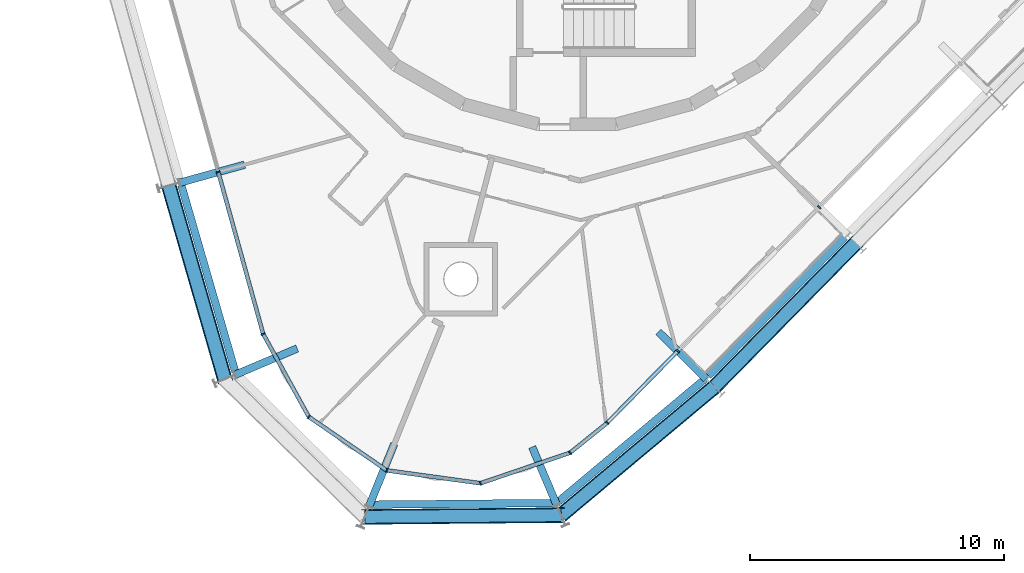
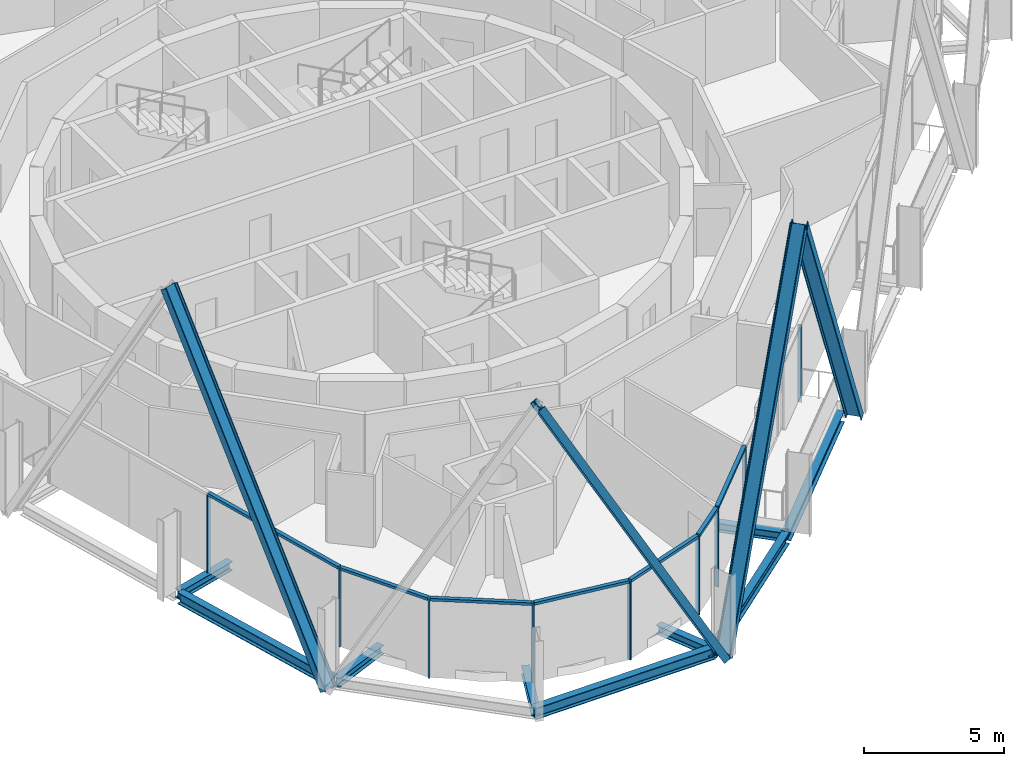
# One storey, part 2 of 15: 20 members, 9 beams, 2 elements without a shape of their own.
"""IFC4 building model written with IfcOpenShell, lengths in metres."""

from ifc_helpers import new_model, si_unit, direction, frame, origin, origin_2d, place, context, subcontext, project, spatial, rectangle, i_section, extrude, material, layer, layer_set, material_profile, profile_set, type_object, element, aggregate, save


model = new_model("IFC4")

# Units and contexts
model_context = context("Model", 3, precision=1e-05, world=origin(), true_north=direction((0.0, 1.0)))
body_context = subcontext(model_context, "Body", "Model", "MODEL_VIEW")
ifc_project = project(units=[si_unit("LENGTHUNIT", "METRE"), si_unit("AREAUNIT", "SQUARE_METRE"), si_unit("VOLUMEUNIT", "CUBIC_METRE"), si_unit("PLANEANGLEUNIT", "RADIAN"), si_unit("MASSUNIT", "GRAM", prefix="KILO")], contexts=[model_context])

# Site, building, storey
site_placement = place(None, origin())
site = spatial("IfcSite", under=ifc_project, at=site_placement, CompositionType="ELEMENT")
building_placement = place(site_placement, origin())
building = spatial("IfcBuilding", under=site, at=building_placement, Name="Spindle Arch Residences", CompositionType="ELEMENT")
storey_placement = place(building_placement, frame((0.0, 0.0, 312.199951171875)))
storey = spatial("IfcBuildingStorey", under=building, at=storey_placement, Name="L80", CompositionType="ELEMENT", Elevation=312.199951171875)

# Curtain wall, members
ifc_material_1 = material(Name="Aluminium bronze unitised frame with tinted glass", Category="aluminium")
ifc_layer_1 = layer(ifc_material_1, 0.159912109375)
ifc_layer_set_1 = layer_set([ifc_layer_1], Name="CW-D corner wall on the fillet arcs")
curtain_wall_type_1 = type_object("IfcCurtainWallType", Name="CW-D corner wall on the fillet arcs", PredefinedType="NOTDEFINED", material=ifc_layer_set_1)
curtain_wall_1_placement = place(storey_placement, origin())
curtain_wall_1 = element("IfcCurtainWall", 1, at=curtain_wall_1_placement, inside=storey, type_object=curtain_wall_type_1, Name="CW-D L80 run 5", PredefinedType="NOTDEFINED")
ifc_material_2 = material(Name="Aluminium bronze anodised mullion", Category="aluminium")
ifc_material_profile_1 = material_profile(ifc_material_2, rectangle(XDim=0.159912109375, YDim=0.06005859375, at=origin_2d()), Name="MU 60x160")
ifc_profile_set_1 = profile_set([ifc_material_profile_1], Name="Aluminium bronze anodised mullion")
member_type_1 = type_object("IfcMemberType", Name="Bronze mullion 60x160", PredefinedType="MULLION", material=ifc_profile_set_1)
member_1_placement = place(storey_placement, frame((-14.1435546875, -13.529296875, -0.3798828125), z_axis=(0.0, 0.0, 1.0), x_axis=(0.963630453209, 0.267238376078, 0.0)))
member_1 = element("IfcMember", 2, at=member_1_placement, type_object=member_type_1, Name="CW-D mullion 00", PredefinedType="MULLION", context=body_context, shape_type="SweptSolid", body=[
    extrude(rectangle(XDim=0.159912109375, YDim=0.06005859375, at=origin_2d()), origin(), (0.0, 0.0, 1.0), 3.3798828125),
])
member_2_placement = place(storey_placement, frame((-12.37548828125, -19.90478515625, -0.3798828125), z_axis=(0.0, 0.0, 1.0), x_axis=(0.876026260142, 0.482263404731, 0.0)))
member_2 = element("IfcMember", 3, at=member_2_placement, type_object=member_type_1, Name="CW-D mullion 01", PredefinedType="MULLION", context=body_context, shape_type="SweptSolid", body=[
    extrude(rectangle(XDim=0.159912109375, YDim=0.06005859375, at=origin_2d()), origin(), (0.0, 0.0, 1.0), 3.3798828125),
])
member_3_placement = place(storey_placement, frame((-10.578125, -23.16943359375, -0.3798828125), z_axis=(0.0, 0.0, 1.0), x_axis=(0.566406236997, 0.824126188573, 0.0)))
member_3 = element("IfcMember", 4, at=member_3_placement, type_object=member_type_1, Name="CW-D mullion 02", PredefinedType="MULLION", context=body_context, shape_type="SweptSolid", body=[
    extrude(rectangle(XDim=0.159912109375, YDim=0.06005859375, at=origin_2d()), origin(), (0.0, 0.0, 1.0), 3.3798828125),
])
member_4_placement = place(storey_placement, frame((-7.5068359375, -25.2802734375, -0.3798828125), z_axis=(0.0, 0.0, 1.0), x_axis=(0.136291936259, 0.99066871764, 0.0)))
member_4 = element("IfcMember", 5, at=member_4_placement, type_object=member_type_1, Name="CW-D mullion 03", PredefinedType="MULLION", context=body_context, shape_type="SweptSolid", body=[
    extrude(rectangle(XDim=0.159912109375, YDim=0.06005859375, at=origin_2d()), origin(), (0.0, 0.0, 1.0), 3.3798828125),
])
member_5_placement = place(storey_placement, frame((-3.81494140625, -25.788330078125, -0.3798828125), z_axis=(0.0, 0.0, 1.0), x_axis=(-0.322816381002, 0.946461612616, 0.0)))
member_5 = element("IfcMember", 6, at=member_5_placement, type_object=member_type_1, Name="CW-D mullion 04", PredefinedType="MULLION", context=body_context, shape_type="SweptSolid", body=[
    extrude(rectangle(XDim=0.159912109375, YDim=0.06005859375, at=origin_2d()), origin(), (0.0, 0.0, 1.0), 3.3798828125),
])
member_6_placement = place(storey_placement, frame((-0.28759765625, -24.585205078125, -0.3798828125), z_axis=(0.0, 0.0, 1.0), x_axis=(-0.627057102153, 0.778973292636, 0.0)))
member_6 = element("IfcMember", 7, at=member_6_placement, type_object=member_type_1, Name="CW-D mullion 05", PredefinedType="MULLION", context=body_context, shape_type="SweptSolid", body=[
    extrude(rectangle(XDim=0.159912109375, YDim=0.06005859375, at=origin_2d()), origin(), (0.0, 0.0, 1.0), 3.3798828125),
])
member_7_placement = place(storey_placement, frame((1.173828125, -23.40869140625, -0.3798828125), z_axis=(0.0, 0.0, 1.0), x_axis=(-0.713250449154, 0.7009092643, 0.0)))
member_7 = element("IfcMember", 8, at=member_7_placement, type_object=member_type_1, Name="CW-D mullion 06", PredefinedType="MULLION", context=body_context, shape_type="SweptSolid", body=[
    extrude(rectangle(XDim=0.159912109375, YDim=0.06005859375, at=origin_2d()), origin(), (0.0, 0.0, 1.0), 3.3798828125),
])

ifc_material_3 = material(Name="Aluminium bronze unitised frame with tinted glass", Category="aluminium")
ifc_layer_2 = layer(ifc_material_3, 0.159912109375)
ifc_layer_set_2 = layer_set([ifc_layer_2], Name="CW-C typical residential unitised wall")
curtain_wall_type_2 = type_object("IfcCurtainWallType", Name="CW-C typical residential unitised wall", PredefinedType="NOTDEFINED", material=ifc_layer_set_2)
curtain_wall_2_placement = place(storey_placement, origin())
curtain_wall_2 = element("IfcCurtainWall", 9, at=curtain_wall_2_placement, inside=storey, type_object=curtain_wall_type_2, Name="CW-C L80 run 6", PredefinedType="NOTDEFINED")
member_8_placement = place(storey_placement, frame((3.95703125, -20.576416015625, -0.3798828125), z_axis=(0.0, 0.0, 1.0), x_axis=(-0.713250449154, 0.7009092643, 0.0)))
member_8 = element("IfcMember", 10, at=member_8_placement, type_object=member_type_1, Name="CW-C mullion 18", PredefinedType="MULLION", context=body_context, shape_type="SweptSolid", body=[
    extrude(rectangle(XDim=0.159912109375, YDim=0.06005859375, at=origin_2d()), origin(), (0.0, 0.0, 1.0), 3.3798828125),
])
member_9_placement = place(storey_placement, frame((9.518798828125, -14.916748046875, -0.3798828125), z_axis=(0.0, 0.0, 1.0), x_axis=(-0.713250449154, 0.7009092643, 0.0)))
member_9 = element("IfcMember", 11, at=member_9_placement, type_object=member_type_1, Name="CW-C mullion 19", PredefinedType="MULLION", context=body_context, shape_type="SweptSolid", body=[
    extrude(rectangle(XDim=0.159912109375, YDim=0.06005859375, at=origin_2d()), origin(), (0.0, 0.0, 1.0), 3.3798828125),
])
aggregate(curtain_wall_2, [member_8, member_9])

# Member
ifc_material_4 = material(Name="Aluminium bronze anodised transom", Category="aluminium")
ifc_material_profile_2 = material_profile(ifc_material_4, rectangle(XDim=0.159912109375, YDim=0.1201171875, at=origin_2d()), Name="TR 120x160")
ifc_profile_set_2 = profile_set([ifc_material_profile_2], Name="Aluminium bronze anodised transom")
member_type_2 = type_object("IfcMemberType", Name="Bronze transom 120x160", PredefinedType="USERDEFINED", material=ifc_profile_set_2)
member_10_placement = place(storey_placement, frame((-14.135498046875, -13.558349609375, 3.06005859375), z_axis=(0.267236650425, -0.963630931773, 0.0), x_axis=(0.963630931773, 0.267236650425, 0.0)))
member_10 = element("IfcMember", 12, at=member_10_placement, type_object=member_type_2, Name="CW-D transom 00", ObjectType="TRANSOM", PredefinedType="USERDEFINED", context=body_context, shape_type="SweptSolid", body=[
    extrude(rectangle(XDim=0.159912109375, YDim=0.1201171875, at=origin_2d()), origin(), (0.0, 0.0, 1.0), 6.555908203125),
])

member_11_placement = place(storey_placement, frame((-12.36083984375, -19.930908203125, 3.06005859375), z_axis=(0.482258656, -0.87602887436, 0.0), x_axis=(0.87602887436, 0.482258656, 0.0)))
member_11 = element("IfcMember", 13, at=member_11_placement, type_object=member_type_2, Name="CW-D transom 01", ObjectType="TRANSOM", PredefinedType="USERDEFINED", context=body_context, shape_type="SweptSolid", body=[
    extrude(rectangle(XDim=0.159912109375, YDim=0.1201171875, at=origin_2d()), origin(), (0.0, 0.0, 1.0), 3.666748046875),
])

member_12_placement = place(storey_placement, frame((-10.553466796875, -23.1865234375, 3.06005859375), z_axis=(0.824162355163, -0.566353610682, 0.0), x_axis=(0.566353610682, 0.824162355163, 0.0)))
member_12 = element("IfcMember", 14, at=member_12_placement, type_object=member_type_2, Name="CW-D transom 02", ObjectType="TRANSOM", PredefinedType="USERDEFINED", context=body_context, shape_type="SweptSolid", body=[
    extrude(rectangle(XDim=0.159912109375, YDim=0.1201171875, at=origin_2d()), origin(), (0.0, 0.0, 1.0), 3.666748046875),
])

member_13_placement = place(storey_placement, frame((-7.47705078125, -25.284423828125, 3.06005859375), z_axis=(0.9906686165, -0.136292671414, 0.0), x_axis=(0.136292671414, 0.9906686165, 0.0)))
member_13 = element("IfcMember", 15, at=member_13_placement, type_object=member_type_2, Name="CW-D transom 03", ObjectType="TRANSOM", PredefinedType="USERDEFINED", context=body_context, shape_type="SweptSolid", body=[
    extrude(rectangle(XDim=0.159912109375, YDim=0.1201171875, at=origin_2d()), origin(), (0.0, 0.0, 1.0), 3.666748046875),
])

member_14_placement = place(storey_placement, frame((-3.786376953125, -25.778564453125, 3.06005859375), z_axis=(0.946449629286, 0.322851512656, 0.0), x_axis=(-0.322851512656, 0.946449629286, 0.0)))
member_14 = element("IfcMember", 16, at=member_14_placement, type_object=member_type_2, Name="CW-D transom 04", ObjectType="TRANSOM", PredefinedType="USERDEFINED", context=body_context, shape_type="SweptSolid", body=[
    extrude(rectangle(XDim=0.159912109375, YDim=0.1201171875, at=origin_2d()), origin(), (0.0, 0.0, 1.0), 3.666748046875),
])

member_15_placement = place(storey_placement, frame((-0.26416015625, -24.56640625, 3.06005859375), z_axis=(0.778910776855, 0.627134755614, 0.0), x_axis=(-0.627134755614, 0.778910776855, 0.0)))
member_15 = element("IfcMember", 17, at=member_15_placement, type_object=member_type_2, Name="CW-D transom 05", ObjectType="TRANSOM", PredefinedType="USERDEFINED", context=body_context, shape_type="SweptSolid", body=[
    extrude(rectangle(XDim=0.159912109375, YDim=0.1201171875, at=origin_2d()), origin(), (0.0, 0.0, 1.0), 1.816162109375),
])

member_16_placement = place(storey_placement, frame((1.19482421875, -23.387451171875, 3.06005859375), z_axis=(0.70089977121, 0.713259777863, 0.0), x_axis=(-0.713259777863, 0.70089977121, 0.0)))
member_16 = element("IfcMember", 18, at=member_16_placement, type_object=member_type_2, Name="CW-D transom 06", ObjectType="TRANSOM", PredefinedType="USERDEFINED", context=body_context, shape_type="SweptSolid", body=[
    extrude(rectangle(XDim=0.159912109375, YDim=0.1201171875, at=origin_2d()), origin(), (0.0, 0.0, 1.0), 3.910888671875),
])

aggregate(curtain_wall_1, [member_1, member_10, member_2, member_11, member_3, member_12, member_4, member_13, member_5, member_14, member_6, member_15, member_7, member_16])

# Members
ifc_material_5 = material(Name="Steel S460ML, intumescent coating R 240", Category="steel")
ifc_material_profile_3 = material_profile(ifc_material_5, i_section(OverallWidth=0.300048828125, OverallDepth=0.60009765625, WebThickness=0.015380859375, FlangeThickness=0.030029296875, FilletRadius=0.027099609375, at=origin_2d()), Name="HEB 600")
ifc_profile_set_3 = profile_set([ifc_material_profile_3], Name="Steel S460ML, intumescent coating R 240")
member_type_3 = type_object("IfcMemberType", Name="Diagrid diagonal HEB 600", PredefinedType="BRACE", material=ifc_profile_set_3)
member_17_placement = place(storey_placement, frame((-13.887451171875, -21.68896484375, -0.6298828125), z_axis=(-0.138585932782, 0.479428679679, 0.866569143425), x_axis=(0.240642423068, -0.832486218838, 0.499057030473)))
element("IfcMember", 19, at=member_17_placement, inside=storey, type_object=member_type_3, Name="Diagrid diagonal 8.2.15", PredefinedType="BRACE", context=body_context, shape_type="SweptSolid", body=[
    extrude(i_section(OverallWidth=0.300048828125, OverallDepth=0.60009765625, WebThickness=0.015380859375, FlangeThickness=0.030029296875, FilletRadius=0.027099609375, at=origin_2d()), origin(), (0.0, 0.0, 1.0), 15.8935546875),
])
member_18_placement = place(storey_placement, frame((-0.640869140625, -27.041748046875, -0.6298828125), z_axis=(-0.489541751105, -0.004312394183, 0.871969195088), x_axis=(0.871935364986, 0.007680915851, 0.489560744768)))
element("IfcMember", 20, at=member_18_placement, inside=storey, type_object=member_type_3, Name="Diagrid diagonal 8.2.17", PredefinedType="BRACE", context=body_context, shape_type="SweptSolid", body=[
    extrude(i_section(OverallWidth=0.300048828125, OverallDepth=0.60009765625, WebThickness=0.015380859375, FlangeThickness=0.030029296875, FilletRadius=0.027099609375, at=origin_2d()), origin(), (0.0, 0.0, 1.0), 15.795166015625),
])
member_19_placement = place(storey_placement, frame((-0.640869140625, -27.041748046875, -0.6298828125), z_axis=(0.380653889328, 0.318309387603, 0.868206052906), x_axis=(-0.666028726295, -0.556944778279, 0.496203838858)))
element("IfcMember", 21, at=member_19_placement, inside=storey, type_object=member_type_3, Name="Diagrid diagonal 8.2.18", PredefinedType="BRACE", context=body_context, shape_type="SweptSolid", body=[
    extrude(i_section(OverallWidth=0.300048828125, OverallDepth=0.60009765625, WebThickness=0.015380859375, FlangeThickness=0.030029296875, FilletRadius=0.027099609375, at=origin_2d()), origin(), (0.0, 0.0, 1.0), 15.86376953125),
])
member_20_placement = place(storey_placement, frame((10.959716796875, -16.33251953125, -0.6298828125), z_axis=(-0.349914533581, -0.356058235338, 0.866476977326), x_axis=(0.607336822039, 0.618000272518, 0.499217034729)))
element("IfcMember", 22, at=member_20_placement, inside=storey, type_object=member_type_3, Name="Diagrid diagonal 8.2.19", PredefinedType="BRACE", context=body_context, shape_type="SweptSolid", body=[
    extrude(i_section(OverallWidth=0.300048828125, OverallDepth=0.60009765625, WebThickness=0.015380859375, FlangeThickness=0.030029296875, FilletRadius=0.027099609375, at=origin_2d()), origin(), (0.0, 0.0, 1.0), 15.895263671875),
])

# Beams
ifc_material_6 = material(Name="Steel S460ML, intumescent coating R 120", Category="steel")
ifc_material_profile_4 = material_profile(ifc_material_6, i_section(OverallWidth=0.300048828125, OverallDepth=0.5, WebThickness=0.014404296875, FlangeThickness=0.028076171875, FilletRadius=0.027099609375, at=origin_2d()), Name="HEB 500")
ifc_profile_set_4 = profile_set([ifc_material_profile_4], Name="Steel S460ML, intumescent coating R 120")
beam_type_1 = type_object("IfcBeamType", Name="Exoskeleton edge beam HEB 500", PredefinedType="BEAM", material=ifc_profile_set_4)
beam_1_placement = place(storey_placement, frame((-15.6005859375, -14.035888671875, -0.6298828125), z_axis=(0.277657791247, -0.960680046092, 0.0), x_axis=(0.960680046092, 0.277657791247, 0.0)))
element("IfcBeam", 23, at=beam_1_placement, inside=storey, type_object=beam_type_1, Name="Exoskeleton edge beam 15", PredefinedType="BEAM", context=body_context, shape_type="SweptSolid", body=[
    extrude(i_section(OverallWidth=0.300048828125, OverallDepth=0.5, WebThickness=0.014404296875, FlangeThickness=0.028076171875, FilletRadius=0.027099609375, at=origin_2d()), origin(), (0.0, 0.0, 1.0), 7.671875),
])
beam_2_placement = place(storey_placement, frame((-8.247314453125, -26.628662109375, -0.6298828125), z_axis=(0.999961377867, 0.00878878686, 0.0), x_axis=(-0.00878878686, 0.999961377867, 0.0)))
element("IfcBeam", 24, at=beam_2_placement, inside=storey, type_object=beam_type_1, Name="Exoskeleton edge beam 17", PredefinedType="BEAM", context=body_context, shape_type="SweptSolid", body=[
    extrude(i_section(OverallWidth=0.300048828125, OverallDepth=0.5, WebThickness=0.014404296875, FlangeThickness=0.028076171875, FilletRadius=0.027099609375, at=origin_2d()), origin(), (0.0, 0.0, 1.0), 7.472412109375),
])
beam_3_placement = place(storey_placement, frame((-0.811279296875, -26.5615234375, -0.6298828125), z_axis=(0.767144884688, 0.641473870003, 0.0), x_axis=(-0.641473870003, 0.767144884688, 0.0)))
element("IfcBeam", 25, at=beam_3_placement, inside=storey, type_object=beam_type_1, Name="Exoskeleton edge beam 18", PredefinedType="BEAM", context=body_context, shape_type="SweptSolid", body=[
    extrude(i_section(OverallWidth=0.300048828125, OverallDepth=0.5, WebThickness=0.014404296875, FlangeThickness=0.028076171875, FilletRadius=0.027099609375, at=origin_2d()), origin(), (0.0, 0.0, 1.0), 7.611572265625),
])
beam_4_placement = place(storey_placement, frame((5.146484375, -21.56298828125, -0.6298828125), z_axis=(0.700924831043, 0.713235151425, 0.0), x_axis=(-0.713235151425, 0.700924831043, 0.0)))
element("IfcBeam", 26, at=beam_4_placement, inside=storey, type_object=beam_type_1, Name="Exoskeleton edge beam 19", PredefinedType="BEAM", context=body_context, shape_type="SweptSolid", body=[
    extrude(i_section(OverallWidth=0.300048828125, OverallDepth=0.5, WebThickness=0.014404296875, FlangeThickness=0.028076171875, FilletRadius=0.027099609375, at=origin_2d()), origin(), (0.0, 0.0, 1.0), 7.675048828125),
])
ifc_material_7 = material(Name="Steel S460ML, intumescent coating R 120", Category="steel")
ifc_material_profile_5 = material_profile(ifc_material_7, i_section(OverallWidth=0.300048828125, OverallDepth=0.389892578125, WebThickness=0.010986328125, FlangeThickness=0.01904296875, FilletRadius=0.027099609375, at=origin_2d()), Name="HEA 400")
ifc_profile_set_5 = profile_set([ifc_material_profile_5], Name="Steel S460ML, intumescent coating R 120")
beam_type_2 = type_object("IfcBeamType", Name="Floor outrigger HEA 400", PredefinedType="BEAM", material=ifc_profile_set_5)
beam_5_placement = place(storey_placement, frame((-15.656494140625, -13.948974609375, -0.574951171875), z_axis=(0.963626057771, 0.267254225009, 0.0), x_axis=(-0.267254225009, 0.963626057771, 0.0)))
element("IfcBeam", 27, at=beam_5_placement, inside=storey, type_object=beam_type_2, Name="Floor outrigger 15", PredefinedType="BEAM", context=body_context, shape_type="SweptSolid", body=[
    extrude(i_section(OverallWidth=0.300048828125, OverallDepth=0.389892578125, WebThickness=0.010986328125, FlangeThickness=0.01904296875, FilletRadius=0.027099609375, at=origin_2d()), origin(), (0.0, 0.0, 1.0), 2.650146484375),
])
for number, where, z_axis, x_axis, name in (
    (28, (-13.47314453125, -21.51318359375, -0.574951171875), (0.920615907856, 0.390469397267, 0.0), (-0.390469397267, 0.920615907856, 0.0), "Floor outrigger 16"),
    (29, (-8.20458984375, -26.692626953125, -0.574951171875), (0.374597094323, 0.927187692393, 0.0), (-0.927187692393, 0.374597094323, 0.0), "Floor outrigger 17"),
):
    element("IfcBeam", number, at=place(storey_placement, frame(where, z_axis=z_axis, x_axis=x_axis)), inside=storey, type_object=beam_type_2, Name=name, PredefinedType="BEAM", context=body_context, shape_type="SweptSolid", body=[
        extrude(i_section(OverallWidth=0.300048828125, OverallDepth=0.389892578125, WebThickness=0.010986328125, FlangeThickness=0.01904296875, FilletRadius=0.027099609375, at=origin_2d()), origin(), (0.0, 0.0, 1.0), 2.64990234375),
    ])
beam_6_placement = place(storey_placement, frame((-0.81689453125, -26.62744140625, -0.574951171875), z_axis=(-0.39089545077, 0.920435085472, 0.0), x_axis=(-0.920435085472, -0.39089545077, 0.0)))
element("IfcBeam", 30, at=beam_6_placement, inside=storey, type_object=beam_type_2, Name="Floor outrigger 18", PredefinedType="BEAM", context=body_context, shape_type="SweptSolid", body=[
    extrude(i_section(OverallWidth=0.300048828125, OverallDepth=0.389892578125, WebThickness=0.010986328125, FlangeThickness=0.01904296875, FilletRadius=0.027099609375, at=origin_2d()), origin(), (0.0, 0.0, 1.0), 2.467041015625),
])
beam_7_placement = place(storey_placement, frame((5.076904296875, -21.677001953125, -0.574951171875), z_axis=(-0.713252393258, 0.70090728596, 0.0), x_axis=(-0.70090728596, -0.713252393258, 0.0)))
element("IfcBeam", 31, at=beam_7_placement, inside=storey, type_object=beam_type_2, Name="Floor outrigger 19", PredefinedType="BEAM", context=body_context, shape_type="SweptSolid", body=[
    extrude(i_section(OverallWidth=0.300048828125, OverallDepth=0.389892578125, WebThickness=0.010986328125, FlangeThickness=0.01904296875, FilletRadius=0.027099609375, at=origin_2d()), origin(), (0.0, 0.0, 1.0), 2.650146484375),
])

save(model, "model.ifc")
